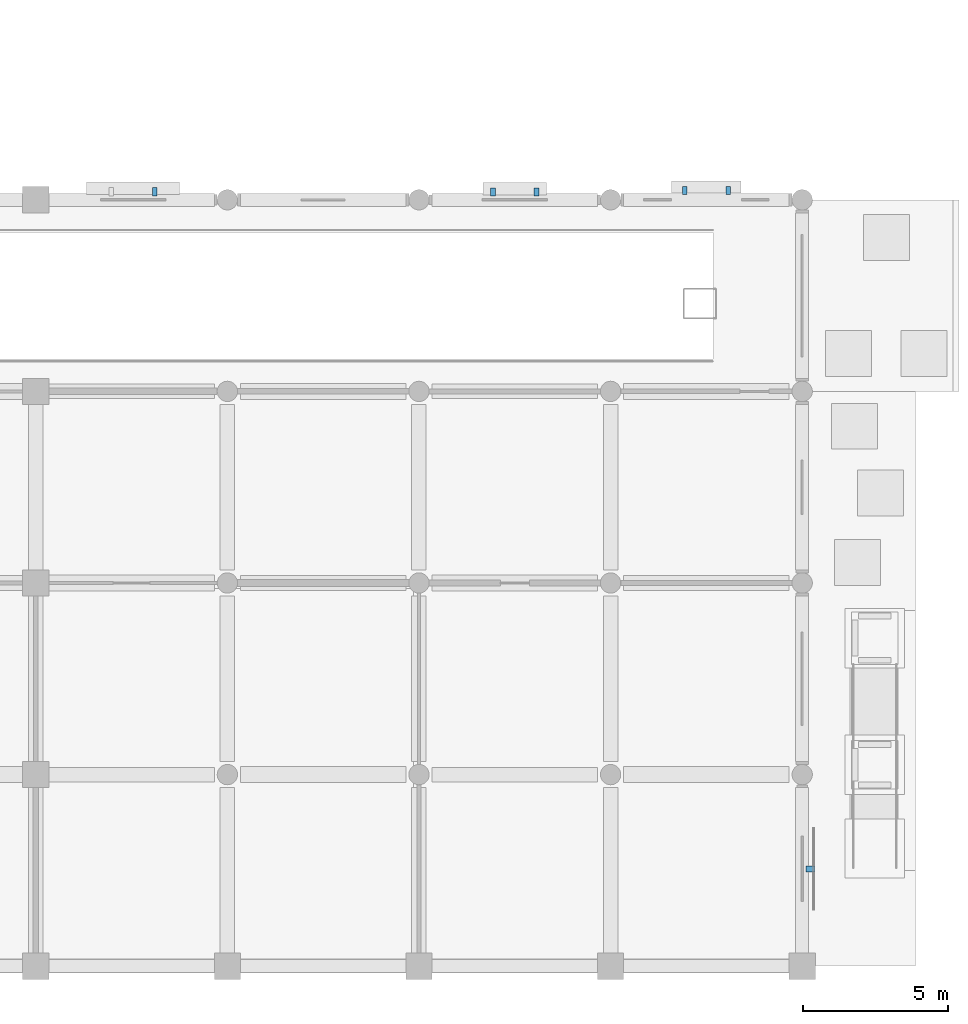
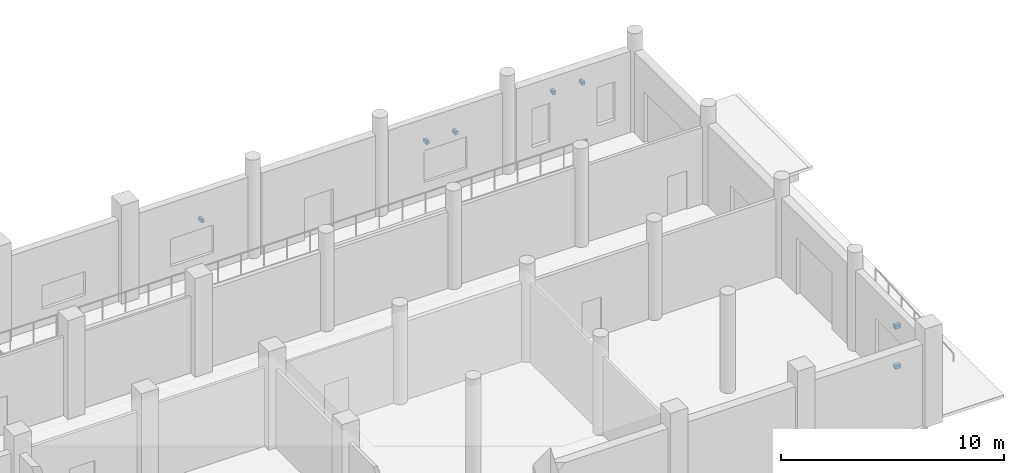
# One storey, part 21 of 28: 7 discrete accessories.
"""IFC4 building model written with IfcOpenShell, lengths in metres."""

from ifc_helpers import new_model, si_unit, direction, frame, origin, origin_2d, place, context, subcontext, project, spatial, rectangle, extrude, material, type_object, element, save


model = new_model("IFC4")

# Units and contexts
model_context = context("Model", 3, precision=1e-05, world=origin(), true_north=direction((0.0, 1.0)))
body_context = subcontext(model_context, "Body", "Model", "MODEL_VIEW")
ifc_project = project(units=[si_unit("LENGTHUNIT", "METRE"), si_unit("AREAUNIT", "SQUARE_METRE"), si_unit("VOLUMEUNIT", "CUBIC_METRE"), si_unit("PLANEANGLEUNIT", "RADIAN"), si_unit("MASSUNIT", "GRAM", prefix="KILO")], contexts=[model_context])

# Site, building, storey
site_placement = place(None, origin())
site = spatial("IfcSite", under=ifc_project, at=site_placement, CompositionType="ELEMENT")
building_placement = place(site_placement, origin())
building = spatial("IfcBuilding", under=site, at=building_placement, Name="Rusizi Kubbe Research Institute", CompositionType="ELEMENT")
storey_placement = place(building_placement, origin())
storey = spatial("IfcBuildingStorey", under=building, at=storey_placement, Name="L00", CompositionType="ELEMENT", Elevation=0.0)

# Discrete accessories
ifc_material_1 = material(Name="Steel S355", Category="steel")
discrete_accessory_type_1 = type_object("IfcDiscreteAccessoryType", Name="BK-01", PredefinedType="BRACKET", material=ifc_material_1)
for number, where, z_axis, x_axis, name in (
    (1, (119.08740234375, 3.35009765625, 0.740234375), (0.0, 0.0, 1.0), (1.0, 0.0, 0.0), "Solar Screen Bracket 20-1"),
    (2, (119.08740234375, 3.35009765625, 2.93994140625), (0.0, 0.0, 1.0), (1.0, 0.0, 0.0), "Solar Screen Bracket 20-2"),
):
    element("IfcDiscreteAccessory", number, at=place(storey_placement, frame(where, z_axis=z_axis, x_axis=x_axis)), inside=storey, type_object=discrete_accessory_type_1, Name=name, PredefinedType="BRACKET", context=body_context, shape_type="SweptSolid", body=[
        extrude(rectangle(XDim=0.300048828125, YDim=0.219970703125, at=origin_2d()), origin(), (0.0, 0.0, 1.0), 0.179931640625),
    ])
ifc_material_2 = material(Name="Steel S355", Category="steel")
discrete_accessory_type_2 = type_object("IfcDiscreteAccessoryType", Name="BK-02", PredefinedType="BRACKET", material=ifc_material_2)
for number, where, z_axis, x_axis, name in (
    (3, (96.5, 26.677490234375, 2.52001953125), (0.0, 0.0, 1.0), (1.0, 0.0, 0.0), "Louver Canopy Bracket 10-2"),
    (4, (108.14990234375, 26.66259765625, 2.740234375), (0.0, 0.0, 1.0), (1.0, 0.0, 0.0), "Louver Canopy Bracket 11-1"),
    (5, (109.64990234375, 26.66259765625, 2.740234375), (0.0, 0.0, 1.0), (1.0, 0.0, 0.0), "Louver Canopy Bracket 11-2"),
    (6, (114.75, 26.719970703125, 3.1201171875), (0.0, 0.0, 1.0), (1.0, 0.0, 0.0), "Louver Canopy Bracket 12-1"),
    (7, (116.25, 26.719970703125, 3.1201171875), (0.0, 0.0, 1.0), (1.0, 0.0, 0.0), "Louver Canopy Bracket 12-2"),
):
    element("IfcDiscreteAccessory", number, at=place(storey_placement, frame(where, z_axis=z_axis, x_axis=x_axis)), inside=storey, type_object=discrete_accessory_type_2, Name=name, PredefinedType="BRACKET", context=body_context, shape_type="SweptSolid", body=[
        extrude(rectangle(XDim=0.159912109375, YDim=0.280029296875, at=origin_2d()), origin(), (0.0, 0.0, 1.0), 0.179931640625),
    ])

save(model, "model.ifc")
